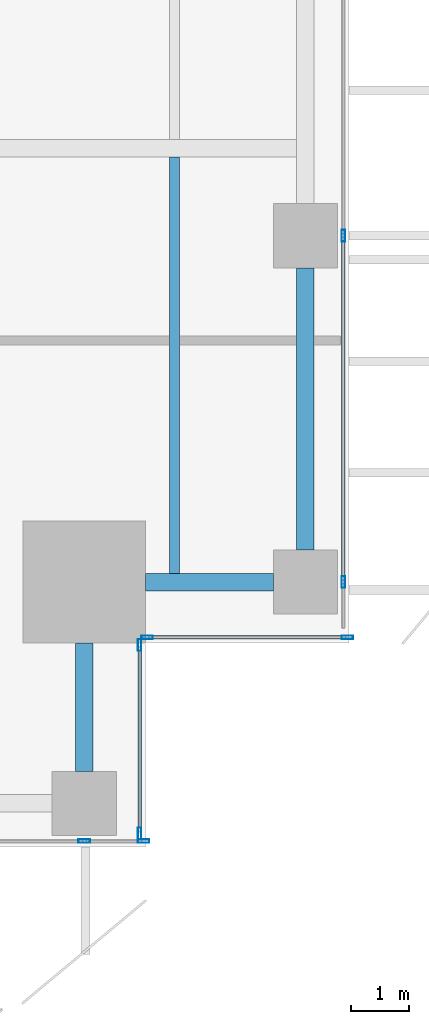
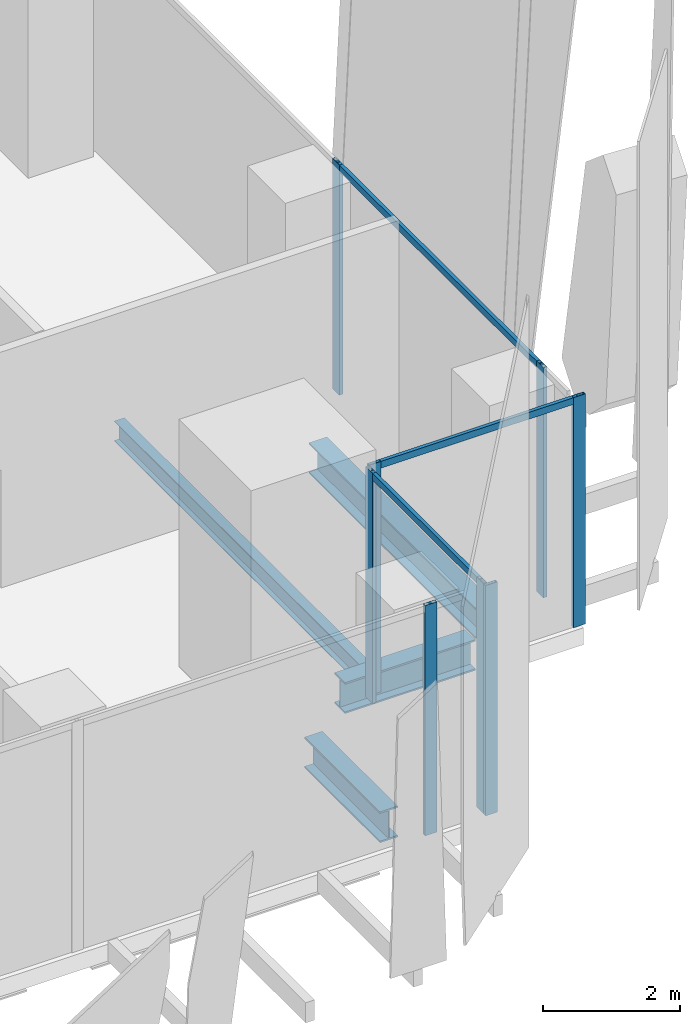
# One storey, part 11 of 36: 11 members, 4 beams, 4 elements without a shape of their own.
"""IFC4 building model written with IfcOpenShell, lengths in metres."""

import ifcopenshell
import ifcopenshell.guid

model = None  # the IFC model being written
_history = None  # IfcOwnerHistory: only IFC2X3 demands one
_inside = {}  # id of a spatial element -> (the spatial element, [elements in it])
_under = {}  # id of a project, library or spatial element -> (it, [spatial elements below it])
_declared = {}  # id of a project -> (the project, [libraries it declares])
_typed = {}  # id of a type object -> (the type object, [elements of that type])
_made_of = {}  # id of a material, layer set ... -> (it, [elements and type objects made of it])


def new_model(schema):
    """Start an empty IFC model of exactly this schema.

    Asked for "IFC4X3", IfcOpenShell would pick the latest addendum, in which some entities
    have other attributes; the version numbers below select the first issue.
    IFC2X3 requires an IfcOwnerHistory on every rooted entity: one is made here for all.
    """
    global model, _history
    if schema == "IFC4X3":
        model = ifcopenshell.file(schema_version=(4, 3, 0, 0))
    else:
        model = ifcopenshell.file(schema=schema)
    _inside.clear()
    _under.clear()
    _declared.clear()
    _typed.clear()
    _made_of.clear()
    _history = None
    if model.schema == "IFC2X3":
        org = make("IfcOrganization", Name="unknown")
        user = make(
            "IfcPersonAndOrganization",
            ThePerson=make("IfcPerson", FamilyName="unknown"),
            TheOrganization=org,
        )
        app = make(
            "IfcApplication",
            ApplicationDeveloper=org,
            Version="unknown",
            ApplicationFullName="unknown",
            ApplicationIdentifier="unknown",
        )
        _history = make(
            "IfcOwnerHistory",
            OwningUser=user,
            OwningApplication=app,
            ChangeAction="ADDED",
            CreationDate=0,
        )
    return model


def make(cls, **values):
    """One entity of the class cls with the attributes given. An attribute that is None is left unset."""
    return model.create_entity(
        cls, **{name: value for name, value in values.items() if value is not None}
    )


def rooted(cls, **values):
    """An entity with a GlobalId (a new one), such as an element, a storey or a relation."""
    return make(cls, GlobalId=ifcopenshell.guid.new(), OwnerHistory=_history, **values)


def si_unit(unit_type, name, prefix=None):
    """IfcSIUnit, for example si_unit("LENGTHUNIT", "METRE", prefix="MILLI")."""
    return make("IfcSIUnit", UnitType=unit_type, Prefix=prefix, Name=name)


def assignment(units):
    """IfcUnitAssignment: the units of a project."""
    return None if units is None else make("IfcUnitAssignment", Units=units)


def point(xyz):
    """IfcCartesianPoint."""
    return None if xyz is None else make("IfcCartesianPoint", Coordinates=xyz)


def direction(xyz):
    """IfcDirection."""
    return None if xyz is None else make("IfcDirection", DirectionRatios=xyz)


def frame(location, z_axis=None, x_axis=None):
    """IfcAxis2Placement3D, a coordinate frame: its origin and axes. An axis left out is left unset."""
    return make(
        "IfcAxis2Placement3D",
        Location=point(location),
        Axis=direction(z_axis),
        RefDirection=direction(x_axis),
    )


def frame_2d(location, x_axis=None):
    """IfcAxis2Placement2D, a coordinate frame in the plane: its origin and x axis."""
    return make(
        "IfcAxis2Placement2D", Location=point(location), RefDirection=direction(x_axis)
    )


def origin():
    """The frame at (0, 0, 0) with its axes left unset."""
    return frame((0.0, 0.0, 0.0))


def origin_2d():
    """The frame at (0, 0) in the plane with its x axis left unset."""
    return frame_2d((0.0, 0.0))


def place(relative_to, where):
    """IfcLocalPlacement: puts the frame where relative to a parent placement (None: the world)."""
    return make(
        "IfcLocalPlacement", PlacementRelTo=relative_to, RelativePlacement=where
    )


def context(
    kind, dimensions, precision=None, world=None, true_north=None, identifier=None
):
    """IfcGeometricRepresentationContext, for example the 3D "Model" context."""
    return make(
        "IfcGeometricRepresentationContext",
        ContextIdentifier=identifier,
        ContextType=kind,
        CoordinateSpaceDimension=dimensions,
        Precision=precision,
        WorldCoordinateSystem=world,
        TrueNorth=true_north,
    )


def subcontext(parent, identifier, kind, view, scale=None):
    """IfcGeometricRepresentationSubContext, for example "Body" below "Model"."""
    return make(
        "IfcGeometricRepresentationSubContext",
        ContextIdentifier=identifier,
        ContextType=kind,
        ParentContext=parent,
        TargetScale=scale,
        TargetView=view,
    )


def project(units=None, contexts=None):
    """IfcProject with its units and contexts."""
    return rooted(
        "IfcProject",
        Name="project",
        RepresentationContexts=contexts,
        UnitsInContext=assignment(units),
    )


def spatial(cls, under=None, at=None, **own):
    """A site, building, storey or space (cls), placed at a placement, below another one or the project."""
    s = rooted(cls, ObjectPlacement=at, **own)
    if under is not None:
        _under.setdefault(under.id(), (under, []))[1].append(s)
    return s


def profile(cls, at=None, kind="AREA", **sizes):
    """A parametric profile (cls). Its sizes go by their IFC names, for example OverallWidth=200.0."""
    return make(cls, ProfileType=kind, Position=at, **sizes)


def hollow_rectangle(**sizes):
    """IfcRectangleHollowProfileDef."""
    return profile("IfcRectangleHollowProfileDef", **sizes)


def i_section(**sizes):
    """IfcIShapeProfileDef."""
    return profile("IfcIShapeProfileDef", **sizes)


def extrude(swept, where, along, depth):
    """IfcExtrudedAreaSolid: the profile swept, set in the frame where, extruded along a direction by depth."""
    return make(
        "IfcExtrudedAreaSolid",
        SweptArea=swept,
        Position=where,
        ExtrudedDirection=direction(along),
        Depth=depth,
    )


def shape(context_of_items, identifier, shape_type, items):
    """IfcShapeRepresentation: the items that make up one representation, for example the "Body"."""
    return make(
        "IfcShapeRepresentation",
        ContextOfItems=context_of_items,
        RepresentationIdentifier=identifier,
        RepresentationType=shape_type,
        Items=items,
    )


def source(mapping_origin, context_of_items, identifier, shape_type, items):
    """IfcRepresentationMap: a shape defined once, which mapped items show again and again."""
    return make(
        "IfcRepresentationMap",
        MappingOrigin=mapping_origin,
        MappedRepresentation=shape(context_of_items, identifier, shape_type, items),
    )


def transform(
    local_origin,
    x_axis=None,
    y_axis=None,
    z_axis=None,
    scale=None,
    scale2=None,
    scale3=None,
    uniform=True,
):
    """IfcCartesianTransformationOperator3D, or its non-uniform kind. x_axis, y_axis, z_axis: its Axis1, 2, 3."""
    if uniform:
        return make(
            "IfcCartesianTransformationOperator3D",
            Axis1=direction(x_axis),
            Axis2=direction(y_axis),
            LocalOrigin=point(local_origin),
            Scale=scale,
            Axis3=direction(z_axis),
        )
    return make(
        "IfcCartesianTransformationOperator3DnonUniform",
        Axis1=direction(x_axis),
        Axis2=direction(y_axis),
        LocalOrigin=point(local_origin),
        Scale=scale,
        Axis3=direction(z_axis),
        Scale2=scale2,
        Scale3=scale3,
    )


def mapped(mapping_source, mapping_target):
    """IfcMappedItem: shows the shape of a source again, moved by a transform."""
    return make(
        "IfcMappedItem", MappingSource=mapping_source, MappingTarget=mapping_target
    )


def material(Name=None, Category=None):
    """IfcMaterial."""
    return make("IfcMaterial", Name=Name, Category=Category)


def material_profile(
    of_material, cross_section, Name=None, Category=None, Priority=None
):
    """IfcMaterialProfile: a cross section and its material."""
    return make(
        "IfcMaterialProfile",
        Name=Name,
        Material=of_material,
        Profile=cross_section,
        Priority=Priority,
        Category=Category,
    )


def profile_set(profiles, Name=None, composite=None):
    """IfcMaterialProfileSet."""
    return make(
        "IfcMaterialProfileSet",
        Name=Name,
        MaterialProfiles=profiles,
        CompositeProfile=composite,
    )


def made_of(thing, what):
    """Note that an element or type object is made of a material, layer set ...; save() writes the relation."""
    if what is not None:
        _made_of.setdefault(what.id(), (what, []))[1].append(thing)
    return thing


def type_object(cls, material=None, **own):
    """A type object (cls), such as IfcWallType, which elements share."""
    return made_of(rooted(cls, **own), material)


def element(
    cls,
    number,
    at=None,
    inside=None,
    cuts=None,
    type_object=None,
    material=None,
    context=None,
    identifier="Body",
    shape_type=None,
    held_by="IfcProductDefinitionShape",
    body=None,
    shapes=None,
    **own,
):
    """One element of the class cls, such as IfcWall. Its Tag is "e" and its number.

    at: its placement. inside: the storey or other place that contains it. cuts: it is an
    opening in that element (IfcRelVoidsElement). A single representation is given by context,
    identifier, shape_type and body (its items); several are given by shapes. held_by: the class
    of the entity that holds the representations. save() writes the other relations.
    """
    e = rooted(cls, Tag="e%d" % number, ObjectPlacement=at, **own)
    if body is not None:
        shapes = [shape(context, identifier, shape_type, body)]
    if shapes is not None:
        e.Representation = make(held_by, Representations=shapes)
    if inside is not None:
        _inside.setdefault(inside.id(), (inside, []))[1].append(e)
    if cuts is not None:
        rooted(
            "IfcRelVoidsElement", RelatingBuildingElement=cuts, RelatedOpeningElement=e
        )
    if type_object is not None:
        _typed.setdefault(type_object.id(), (type_object, []))[1].append(e)
    return made_of(e, material)


def aggregate(whole, parts):
    """IfcRelAggregates: a whole, such as a stair, and the parts it consists of."""
    return rooted("IfcRelAggregates", RelatingObject=whole, RelatedObjects=parts)


def save(model, path):
    """Write the relations noted so far, then the file.

    IfcRelAggregates (storeys below a building ...), IfcRelContainedInSpatialStructure (elements
    in a storey), IfcRelDefinesByType, IfcRelAssociatesMaterial and IfcRelDeclares: one each for
    every whole, place, type object, material and project.
    """
    for whole, parts in _under.values():
        aggregate(whole, parts)
    for where, things in _inside.values():
        rooted(
            "IfcRelContainedInSpatialStructure",
            RelatedElements=things,
            RelatingStructure=where,
        )
    for kind, things in _typed.values():
        rooted("IfcRelDefinesByType", RelatedObjects=things, RelatingType=kind)
    for what, things in _made_of.values():
        rooted("IfcRelAssociatesMaterial", RelatedObjects=things, RelatingMaterial=what)
    for by, libraries in _declared.values():
        rooted("IfcRelDeclares", RelatingContext=by, RelatedDefinitions=libraries)
    model.write(path)


model = new_model("IFC4")

# Units and contexts
model_context = context("Model", 3, precision=1e-05, world=origin(), true_north=direction((0.0, 1.0)))
body_context = subcontext(model_context, "Body", "Model", "MODEL_VIEW")
ifc_project = project(units=[si_unit("LENGTHUNIT", "METRE"), si_unit("AREAUNIT", "SQUARE_METRE"), si_unit("VOLUMEUNIT", "CUBIC_METRE"), si_unit("PLANEANGLEUNIT", "RADIAN"), si_unit("MASSUNIT", "GRAM", prefix="KILO")], contexts=[model_context])

# Site, building, storey
site_placement = place(None, origin())
site = spatial("IfcSite", under=ifc_project, at=site_placement, CompositionType="ELEMENT")
building_placement = place(site_placement, origin())
building = spatial("IfcBuilding", under=site, at=building_placement, Name="Khomas Fold Tower", CompositionType="ELEMENT")
storey_placement = place(building_placement, frame((0.0, 0.0, 141.10009765625)))
storey = spatial("IfcBuildingStorey", under=building, at=storey_placement, Name="L30", CompositionType="ELEMENT", Elevation=141.10009765625)

# Beams
ifc_material_1 = material(Name="Steel S355", Category="steel")
ifc_material_profile_1 = material_profile(ifc_material_1, i_section(OverallWidth=0.169921875, OverallDepth=0.360107421875, WebThickness=0.008056640625, FlangeThickness=0.0126953125, at=origin_2d()), Name="IPE 360")
ifc_profile_set_1 = profile_set([ifc_material_profile_1], Name="Steel S355")
beam_type_1 = type_object("IfcBeamType", Name="IPE 360 beam JB2", PredefinedType="BEAM", material=ifc_profile_set_1)
shared_shape_1 = source(origin(), body_context, "Body", "SweptSolid", [
    extrude(i_section(OverallWidth=0.169921875, OverallDepth=0.360107421875, WebThickness=0.008056640625, FlangeThickness=0.0126953125, at=origin_2d()), origin(), (0.0, 0.0, 1.0), 7.150146484375),
])
beam_1_placement = place(storey_placement, frame((49.5, 6.199951171875, -0.47998046875), z_axis=(0.0, 1.0, 0.0), x_axis=(-1.0, 0.0, 0.0)))
element("IfcBeam", 1, at=beam_1_placement, inside=storey, type_object=beam_type_1, Name="JB2", PredefinedType="BEAM", context=body_context, shape_type="MappedRepresentation", body=[
    mapped(shared_shape_1, transform((0.0, 0.0, 0.0))),
])
ifc_material_2 = material(Name="Steel S355", Category="steel")
ifc_material_profile_2 = material_profile(ifc_material_2, i_section(OverallWidth=0.300048828125, OverallDepth=0.550048828125, WebThickness=0.014892578125, FlangeThickness=0.029052734375, at=origin_2d()), Name="HE 550 B")
ifc_profile_set_2 = profile_set([ifc_material_profile_2], Name="Steel S355")
beam_type_2 = type_object("IfcBeamType", Name="HE 550 B spandrel SB2", PredefinedType="SPANDREL", material=ifc_profile_set_2)
shared_shape_2 = source(origin(), body_context, "Body", "SweptSolid", [
    extrude(i_section(OverallWidth=0.300048828125, OverallDepth=0.550048828125, WebThickness=0.014892578125, FlangeThickness=0.029052734375, at=origin_2d()), origin(), (0.0, 0.0, 1.0), 4.849853515625),
])
beam_2_placement = place(storey_placement, frame((51.75, 6.60009765625, -0.5751953125), z_axis=(0.0, 1.0, 0.0), x_axis=(-1.0, 0.0, 0.0)))
element("IfcBeam", 2, at=beam_2_placement, inside=storey, type_object=beam_type_2, Name="SB2", PredefinedType="SPANDREL", context=body_context, shape_type="MappedRepresentation", body=[
    mapped(shared_shape_2, transform((0.0, 0.0, 0.0))),
])
shared_shape_3 = source(origin(), body_context, "Body", "SweptSolid", [
    extrude(i_section(OverallWidth=0.300048828125, OverallDepth=0.550048828125, WebThickness=0.014892578125, FlangeThickness=0.029052734375, at=origin_2d()), origin(), (0.0, 0.0, 1.0), 2.199951171875),
])
for number, where, z_axis, x_axis, name in (
    (3, (47.949951171875, 2.800048828125, -0.5751953125), (0.0, 1.0, 0.0), (-1.0, 0.0, 0.0), "SB2"),
    (4, (49.0, 6.050048828125, -0.5751953125), (1.0, 0.0, 0.0), (0.0, 1.0, 0.0), "SB2"),
):
    element("IfcBeam", number, at=place(storey_placement, frame(where, z_axis=z_axis, x_axis=x_axis)), inside=storey, type_object=beam_type_2, Name=name, PredefinedType="SPANDREL", context=body_context, shape_type="MappedRepresentation", body=[
        mapped(shared_shape_3, transform((0.0, 0.0, 0.0))),
    ])

# Curtain wall, member
ifc_material_3 = material(Name="Aluminium framed double glazing", Category="aluminium")
curtain_wall_type = type_object("IfcCurtainWallType", Name="SK-Unitised clear-glass wall, growing floors CW1", PredefinedType="NOTDEFINED", material=ifc_material_3)
curtain_wall_1_placement = place(storey_placement, origin())
curtain_wall_1 = element("IfcCurtainWall", 5, at=curtain_wall_1_placement, inside=storey, type_object=curtain_wall_type, Name="CW1 run L30 03-0", PredefinedType="NOTDEFINED")
ifc_material_4 = material(Name="Aluminium", Category="aluminium")
ifc_material_profile_3 = material_profile(ifc_material_4, hollow_rectangle(XDim=0.06005859375, YDim=0.1201171875, WallThickness=0.00390625, at=origin_2d()), Name="SK-Unitised clear-glass wall, growing floors transom CW1-T")
ifc_profile_set_3 = profile_set([ifc_material_profile_3], Name="Aluminium")
member_type_1 = type_object("IfcMemberType", Name="SK-Unitised clear-glass wall, growing floors transom CW1-T", PredefinedType="USERDEFINED", material=ifc_profile_set_3)
shared_shape_4 = source(origin(), body_context, "Body", "SweptSolid", [
    extrude(hollow_rectangle(XDim=0.06005859375, YDim=0.1201171875, WallThickness=0.00390625, at=origin_2d()), origin(), (0.0, 0.0, 1.0), 5.889892578125),
])
member_1_placement = place(storey_placement, frame((52.39990234375, 6.080078125, 4.039794921875), z_axis=(0.0, 1.0, 0.0), x_axis=(-1.0, 0.0, 0.0)))
member_1 = element("IfcMember", 6, at=member_1_placement, type_object=member_type_1, Name="CW1 transom 2", ObjectType="TRANSOM", PredefinedType="USERDEFINED", context=body_context, shape_type="MappedRepresentation", body=[
    mapped(shared_shape_4, transform((0.0, 0.0, 0.0))),
])

curtain_wall_2_placement = place(storey_placement, origin())
curtain_wall_2 = element("IfcCurtainWall", 7, at=curtain_wall_2_placement, inside=storey, type_object=curtain_wall_type, Name="CW1 corner return L30 01", PredefinedType="NOTDEFINED")
shared_shape_5 = source(origin(), body_context, "Body", "SweptSolid", [
    extrude(hollow_rectangle(XDim=0.06005859375, YDim=0.1201171875, WallThickness=0.00390625, at=origin_2d()), origin(), (0.0, 0.0, 1.0), 3.179931640625),
])
member_2_placement = place(storey_placement, frame((48.89990234375, 1.760009765625, 4.039794921875), z_axis=(0.0, 1.0, 0.0), x_axis=(-1.0, 0.0, 0.0)))
member_2 = element("IfcMember", 8, at=member_2_placement, type_object=member_type_1, Name="CW1 transom 1", ObjectType="TRANSOM", PredefinedType="USERDEFINED", context=body_context, shape_type="MappedRepresentation", body=[
    mapped(shared_shape_5, transform((0.0, 0.0, 0.0))),
])

curtain_wall_3_placement = place(storey_placement, origin())
curtain_wall_3 = element("IfcCurtainWall", 9, at=curtain_wall_3_placement, inside=storey, type_object=curtain_wall_type, Name="CW1 corner return L30 02", PredefinedType="NOTDEFINED")
shared_shape_6 = source(origin(), body_context, "Body", "SweptSolid", [
    extrude(hollow_rectangle(XDim=0.06005859375, YDim=0.1201171875, WallThickness=0.00390625, at=origin_2d()), origin(), (0.0, 0.0, 1.0), 3.3798828125),
])
member_3_placement = place(storey_placement, frame((49.06005859375, 5.10009765625, 4.039794921875), z_axis=(1.0, 0.0, 0.0), x_axis=(0.0, 1.0, 0.0)))
member_3 = element("IfcMember", 10, at=member_3_placement, type_object=member_type_1, Name="CW1 transom 1", ObjectType="TRANSOM", PredefinedType="USERDEFINED", context=body_context, shape_type="MappedRepresentation", body=[
    mapped(shared_shape_6, transform((0.0, 0.0, 0.0))),
])

# Curtain wall, members
curtain_wall_4_placement = place(storey_placement, origin())
curtain_wall_4 = element("IfcCurtainWall", 11, at=curtain_wall_4_placement, inside=storey, type_object=curtain_wall_type, Name="CW1 run L30 00-0", PredefinedType="NOTDEFINED")
ifc_material_5 = material(Name="Aluminium", Category="aluminium")
ifc_material_profile_4 = material_profile(ifc_material_5, hollow_rectangle(XDim=0.06005859375, YDim=0.199951171875, WallThickness=0.00390625, at=origin_2d()), Name="SK-Unitised clear-glass wall, growing floors mullion CW1-M")
ifc_profile_set_4 = profile_set([ifc_material_profile_4], Name="Aluminium")
member_type_2 = type_object("IfcMemberType", Name="SK-Unitised clear-glass wall, growing floors mullion CW1-M", PredefinedType="MULLION", material=ifc_profile_set_4)
shared_shape_7 = source(origin(), body_context, "Body", "SweptSolid", [
    extrude(hollow_rectangle(XDim=0.06005859375, YDim=0.199951171875, WallThickness=0.00390625, at=origin_2d()), origin(), (0.0, 0.0, 1.0), 4.099853515625),
])
member_4_placement = place(storey_placement, frame((47.949951171875, 1.60009765625, 0.0), z_axis=(0.0, 0.0, 1.0), x_axis=(0.0, 1.0, 0.0)))
member_4 = element("IfcMember", 12, at=member_4_placement, type_object=member_type_2, Name="CW1 mullion 8", PredefinedType="MULLION", context=body_context, shape_type="MappedRepresentation", body=[
    mapped(shared_shape_7, transform((0.0, 0.0, 0.0))),
])
member_5_placement = place(storey_placement, frame((48.969970703125, 1.60009765625, 0.0), z_axis=(0.0, 0.0, 1.0), x_axis=(0.0, 1.0, 0.0)))
member_5 = element("IfcMember", 13, at=member_5_placement, type_object=member_type_2, Name="CW1 mullion 9", PredefinedType="MULLION", context=body_context, shape_type="MappedRepresentation", body=[
    mapped(shared_shape_7, transform((0.0, 0.0, 0.0))),
])
aggregate(curtain_wall_4, [member_4, member_5])

# Member
member_6_placement = place(storey_placement, frame((48.89990234375, 1.72998046875, 0.0), z_axis=(0.0, 0.0, 1.0), x_axis=(-1.0, 0.0, 0.0)))
member_6 = element("IfcMember", 14, at=member_6_placement, type_object=member_type_2, Name="CW1 mullion 1", PredefinedType="MULLION", context=body_context, shape_type="MappedRepresentation", body=[
    mapped(shared_shape_7, transform((0.0, 0.0, 0.0))),
])

member_7_placement = place(storey_placement, frame((48.89990234375, 4.969970703125, 0.0), z_axis=(0.0, 0.0, 1.0), x_axis=(-1.0, 0.0, 0.0)))
member_7 = element("IfcMember", 15, at=member_7_placement, type_object=member_type_2, Name="CW1 mullion 2", PredefinedType="MULLION", context=body_context, shape_type="MappedRepresentation", body=[
    mapped(shared_shape_7, transform((0.0, 0.0, 0.0))),
])

aggregate(curtain_wall_2, [member_6, member_7, member_2])

member_8_placement = place(storey_placement, frame((49.030029296875, 5.10009765625, 0.0), z_axis=(0.0, 0.0, 1.0), x_axis=(0.0, 1.0, 0.0)))
member_8 = element("IfcMember", 16, at=member_8_placement, type_object=member_type_2, Name="CW1 mullion 1", PredefinedType="MULLION", context=body_context, shape_type="MappedRepresentation", body=[
    mapped(shared_shape_7, transform((0.0, 0.0, 0.0))),
])

member_9_placement = place(storey_placement, frame((52.469970703125, 5.10009765625, 0.0), z_axis=(0.0, 0.0, 1.0), x_axis=(0.0, 1.0, 0.0)))
member_9 = element("IfcMember", 17, at=member_9_placement, type_object=member_type_2, Name="CW1 mullion 2", PredefinedType="MULLION", context=body_context, shape_type="MappedRepresentation", body=[
    mapped(shared_shape_7, transform((0.0, 0.0, 0.0))),
])

aggregate(curtain_wall_3, [member_8, member_9, member_3])

member_10_placement = place(storey_placement, frame((52.39990234375, 6.050048828125, 0.0), z_axis=(0.0, 0.0, 1.0), x_axis=(-1.0, 0.0, 0.0)))
member_10 = element("IfcMember", 18, at=member_10_placement, type_object=member_type_2, Name="CW1 mullion 2", PredefinedType="MULLION", context=body_context, shape_type="MappedRepresentation", body=[
    mapped(shared_shape_7, transform((0.0, 0.0, 0.0))),
])

member_11_placement = place(storey_placement, frame((52.39990234375, 12.0, 0.0), z_axis=(0.0, 0.0, 1.0), x_axis=(-1.0, 0.0, 0.0)))
member_11 = element("IfcMember", 19, at=member_11_placement, type_object=member_type_2, Name="CW1 mullion 3", PredefinedType="MULLION", context=body_context, shape_type="MappedRepresentation", body=[
    mapped(shared_shape_7, transform((0.0, 0.0, 0.0))),
])

aggregate(curtain_wall_1, [member_10, member_11, member_1])

save(model, "model.ifc")
